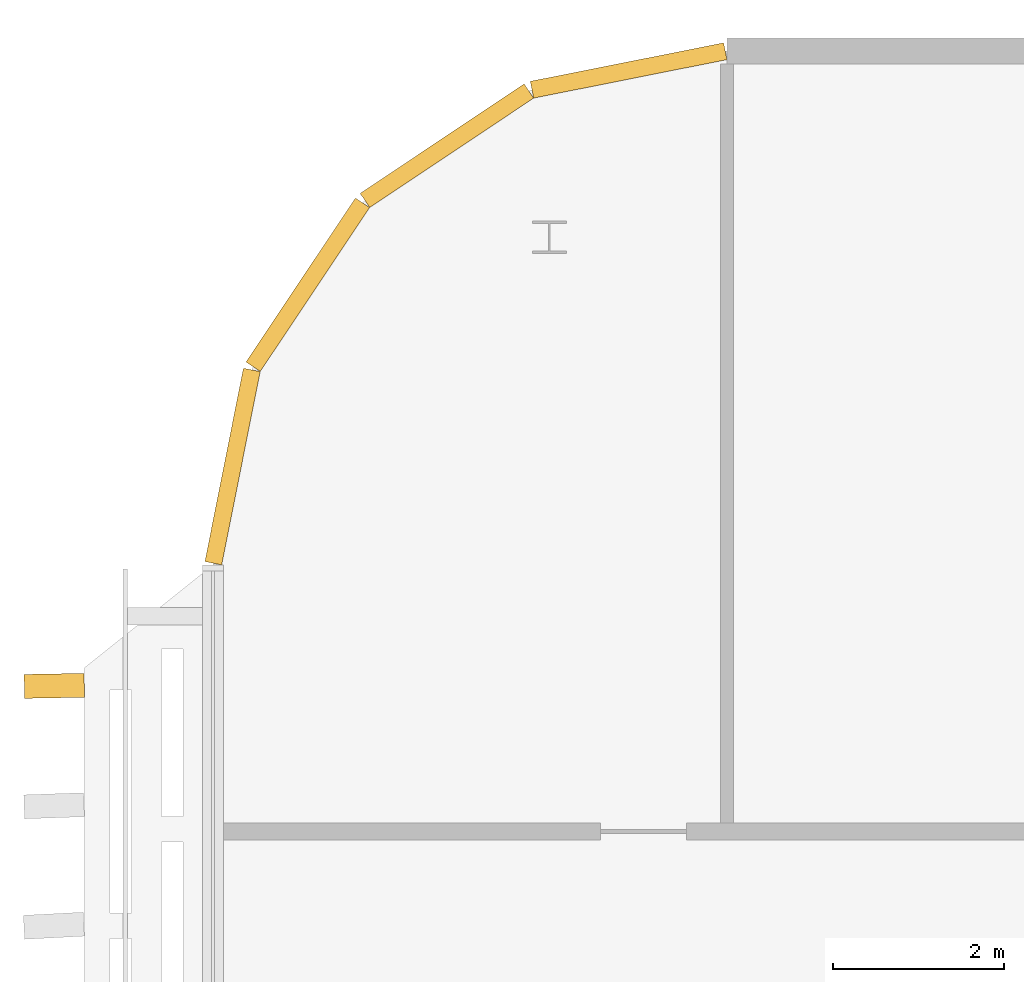
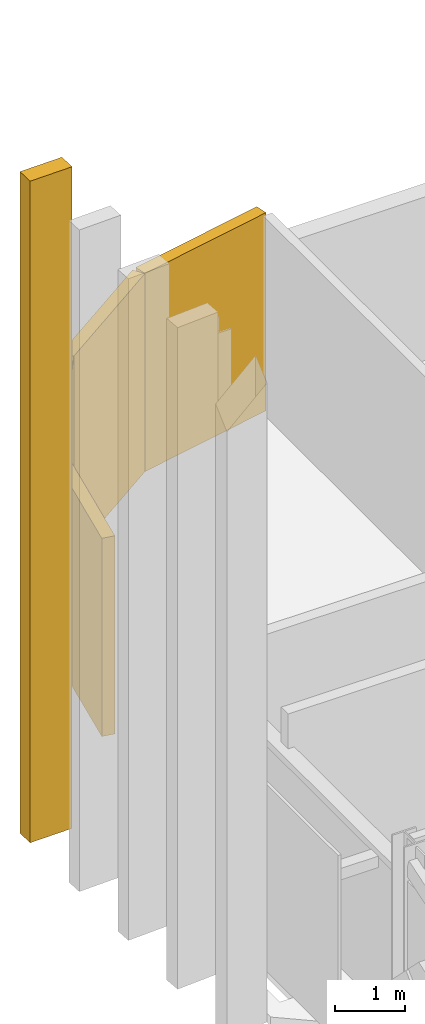
# One storey, part 26 of 30: 5 coverings.
"""IFC4 building model written with IfcOpenShell, lengths in metres."""

import ifcopenshell
import ifcopenshell.guid

model = None  # the IFC model being written
_history = None  # IfcOwnerHistory: only IFC2X3 demands one
_inside = {}  # id of a spatial element -> (the spatial element, [elements in it])
_under = {}  # id of a project, library or spatial element -> (it, [spatial elements below it])
_declared = {}  # id of a project -> (the project, [libraries it declares])
_typed = {}  # id of a type object -> (the type object, [elements of that type])
_made_of = {}  # id of a material, layer set ... -> (it, [elements and type objects made of it])


def new_model(schema):
    """Start an empty IFC model of exactly this schema.

    Asked for "IFC4X3", IfcOpenShell would pick the latest addendum, in which some entities
    have other attributes; the version numbers below select the first issue.
    IFC2X3 requires an IfcOwnerHistory on every rooted entity: one is made here for all.
    """
    global model, _history
    if schema == "IFC4X3":
        model = ifcopenshell.file(schema_version=(4, 3, 0, 0))
    else:
        model = ifcopenshell.file(schema=schema)
    _inside.clear()
    _under.clear()
    _declared.clear()
    _typed.clear()
    _made_of.clear()
    _history = None
    if model.schema == "IFC2X3":
        org = make("IfcOrganization", Name="unknown")
        user = make(
            "IfcPersonAndOrganization",
            ThePerson=make("IfcPerson", FamilyName="unknown"),
            TheOrganization=org,
        )
        app = make(
            "IfcApplication",
            ApplicationDeveloper=org,
            Version="unknown",
            ApplicationFullName="unknown",
            ApplicationIdentifier="unknown",
        )
        _history = make(
            "IfcOwnerHistory",
            OwningUser=user,
            OwningApplication=app,
            ChangeAction="ADDED",
            CreationDate=0,
        )
    return model


def make(cls, **values):
    """One entity of the class cls with the attributes given. An attribute that is None is left unset."""
    return model.create_entity(
        cls, **{name: value for name, value in values.items() if value is not None}
    )


def rooted(cls, **values):
    """An entity with a GlobalId (a new one), such as an element, a storey or a relation."""
    return make(cls, GlobalId=ifcopenshell.guid.new(), OwnerHistory=_history, **values)


def si_unit(unit_type, name, prefix=None):
    """IfcSIUnit, for example si_unit("LENGTHUNIT", "METRE", prefix="MILLI")."""
    return make("IfcSIUnit", UnitType=unit_type, Prefix=prefix, Name=name)


def assignment(units):
    """IfcUnitAssignment: the units of a project."""
    return None if units is None else make("IfcUnitAssignment", Units=units)


def point(xyz):
    """IfcCartesianPoint."""
    return None if xyz is None else make("IfcCartesianPoint", Coordinates=xyz)


def direction(xyz):
    """IfcDirection."""
    return None if xyz is None else make("IfcDirection", DirectionRatios=xyz)


def frame(location, z_axis=None, x_axis=None):
    """IfcAxis2Placement3D, a coordinate frame: its origin and axes. An axis left out is left unset."""
    return make(
        "IfcAxis2Placement3D",
        Location=point(location),
        Axis=direction(z_axis),
        RefDirection=direction(x_axis),
    )


def frame_2d(location, x_axis=None):
    """IfcAxis2Placement2D, a coordinate frame in the plane: its origin and x axis."""
    return make(
        "IfcAxis2Placement2D", Location=point(location), RefDirection=direction(x_axis)
    )


def origin():
    """The frame at (0, 0, 0) with its axes left unset."""
    return frame((0.0, 0.0, 0.0))


def origin_2d():
    """The frame at (0, 0) in the plane with its x axis left unset."""
    return frame_2d((0.0, 0.0))


def place(relative_to, where):
    """IfcLocalPlacement: puts the frame where relative to a parent placement (None: the world)."""
    return make(
        "IfcLocalPlacement", PlacementRelTo=relative_to, RelativePlacement=where
    )


def context(
    kind, dimensions, precision=None, world=None, true_north=None, identifier=None
):
    """IfcGeometricRepresentationContext, for example the 3D "Model" context."""
    return make(
        "IfcGeometricRepresentationContext",
        ContextIdentifier=identifier,
        ContextType=kind,
        CoordinateSpaceDimension=dimensions,
        Precision=precision,
        WorldCoordinateSystem=world,
        TrueNorth=true_north,
    )


def subcontext(parent, identifier, kind, view, scale=None):
    """IfcGeometricRepresentationSubContext, for example "Body" below "Model"."""
    return make(
        "IfcGeometricRepresentationSubContext",
        ContextIdentifier=identifier,
        ContextType=kind,
        ParentContext=parent,
        TargetScale=scale,
        TargetView=view,
    )


def project(units=None, contexts=None):
    """IfcProject with its units and contexts."""
    return rooted(
        "IfcProject",
        Name="project",
        RepresentationContexts=contexts,
        UnitsInContext=assignment(units),
    )


def spatial(cls, under=None, at=None, **own):
    """A site, building, storey or space (cls), placed at a placement, below another one or the project."""
    s = rooted(cls, ObjectPlacement=at, **own)
    if under is not None:
        _under.setdefault(under.id(), (under, []))[1].append(s)
    return s


def profile(cls, at=None, kind="AREA", **sizes):
    """A parametric profile (cls). Its sizes go by their IFC names, for example OverallWidth=200.0."""
    return make(cls, ProfileType=kind, Position=at, **sizes)


def rectangle(**sizes):
    """IfcRectangleProfileDef."""
    return profile("IfcRectangleProfileDef", **sizes)


def extrude(swept, where, along, depth):
    """IfcExtrudedAreaSolid: the profile swept, set in the frame where, extruded along a direction by depth."""
    return make(
        "IfcExtrudedAreaSolid",
        SweptArea=swept,
        Position=where,
        ExtrudedDirection=direction(along),
        Depth=depth,
    )


def shape(context_of_items, identifier, shape_type, items):
    """IfcShapeRepresentation: the items that make up one representation, for example the "Body"."""
    return make(
        "IfcShapeRepresentation",
        ContextOfItems=context_of_items,
        RepresentationIdentifier=identifier,
        RepresentationType=shape_type,
        Items=items,
    )


def material(Name=None, Category=None):
    """IfcMaterial."""
    return make("IfcMaterial", Name=Name, Category=Category)


def layer(
    of_material, thickness, ventilated=None, Name=None, Category=None, Priority=None
):
    """IfcMaterialLayer: one layer of a wall or slab, of a material (None: an air gap)."""
    return make(
        "IfcMaterialLayer",
        Material=of_material,
        LayerThickness=thickness,
        IsVentilated=ventilated,
        Name=Name,
        Category=Category,
        Priority=Priority,
    )


def layer_set(layers, Name=None):
    """IfcMaterialLayerSet."""
    return make("IfcMaterialLayerSet", MaterialLayers=layers, LayerSetName=Name)


def made_of(thing, what):
    """Note that an element or type object is made of a material, layer set ...; save() writes the relation."""
    if what is not None:
        _made_of.setdefault(what.id(), (what, []))[1].append(thing)
    return thing


def type_object(cls, material=None, **own):
    """A type object (cls), such as IfcWallType, which elements share."""
    return made_of(rooted(cls, **own), material)


def element(
    cls,
    number,
    at=None,
    inside=None,
    cuts=None,
    type_object=None,
    material=None,
    context=None,
    identifier="Body",
    shape_type=None,
    held_by="IfcProductDefinitionShape",
    body=None,
    shapes=None,
    **own,
):
    """One element of the class cls, such as IfcWall. Its Tag is "e" and its number.

    at: its placement. inside: the storey or other place that contains it. cuts: it is an
    opening in that element (IfcRelVoidsElement). A single representation is given by context,
    identifier, shape_type and body (its items); several are given by shapes. held_by: the class
    of the entity that holds the representations. save() writes the other relations.
    """
    e = rooted(cls, Tag="e%d" % number, ObjectPlacement=at, **own)
    if body is not None:
        shapes = [shape(context, identifier, shape_type, body)]
    if shapes is not None:
        e.Representation = make(held_by, Representations=shapes)
    if inside is not None:
        _inside.setdefault(inside.id(), (inside, []))[1].append(e)
    if cuts is not None:
        rooted(
            "IfcRelVoidsElement", RelatingBuildingElement=cuts, RelatedOpeningElement=e
        )
    if type_object is not None:
        _typed.setdefault(type_object.id(), (type_object, []))[1].append(e)
    return made_of(e, material)


def aggregate(whole, parts):
    """IfcRelAggregates: a whole, such as a stair, and the parts it consists of."""
    return rooted("IfcRelAggregates", RelatingObject=whole, RelatedObjects=parts)


def save(model, path):
    """Write the relations noted so far, then the file.

    IfcRelAggregates (storeys below a building ...), IfcRelContainedInSpatialStructure (elements
    in a storey), IfcRelDefinesByType, IfcRelAssociatesMaterial and IfcRelDeclares: one each for
    every whole, place, type object, material and project.
    """
    for whole, parts in _under.values():
        aggregate(whole, parts)
    for where, things in _inside.values():
        rooted(
            "IfcRelContainedInSpatialStructure",
            RelatedElements=things,
            RelatingStructure=where,
        )
    for kind, things in _typed.values():
        rooted("IfcRelDefinesByType", RelatedObjects=things, RelatingType=kind)
    for what, things in _made_of.values():
        rooted("IfcRelAssociatesMaterial", RelatedObjects=things, RelatingMaterial=what)
    for by, libraries in _declared.values():
        rooted("IfcRelDeclares", RelatingContext=by, RelatedDefinitions=libraries)
    model.write(path)


model = new_model("IFC4")

# Units and contexts
model_context = context("Model", 3, precision=1e-05, world=origin(), true_north=direction((0.0, 1.0)))
body_context = subcontext(model_context, "Body", "Model", "MODEL_VIEW")
ifc_project = project(units=[si_unit("LENGTHUNIT", "METRE"), si_unit("AREAUNIT", "SQUARE_METRE"), si_unit("VOLUMEUNIT", "CUBIC_METRE"), si_unit("PLANEANGLEUNIT", "RADIAN"), si_unit("MASSUNIT", "GRAM", prefix="KILO")], contexts=[model_context])

# Site, building, storey
site_placement = place(None, origin())
site = spatial("IfcSite", under=ifc_project, at=site_placement, CompositionType="ELEMENT")
building_placement = place(site_placement, origin())
building = spatial("IfcBuilding", under=site, at=building_placement, Name="Mahtab Terrace Research Tower", CompositionType="ELEMENT")
storey_placement = place(building_placement, frame((0.0, 0.0, 263.300048828125)))
storey = spatial("IfcBuildingStorey", under=building, at=storey_placement, Name="L64", CompositionType="ELEMENT", Elevation=263.300048828125)

# Coverings
ifc_material_1 = material(Name="Black aluminium cladding panel", Category="aluminium")
ifc_layer_1 = layer(ifc_material_1, 0.199951171875)
ifc_layer_set_1 = layer_set([ifc_layer_1], Name="Black metal corner cladding 200")
covering_type_1 = type_object("IfcCoveringType", Name="Black metal corner cladding 200", PredefinedType="CLADDING", material=ifc_layer_set_1)
for number, where, z_axis, x_axis, name in (
    (1, (-43.14794921875, 25.883544921875, 0.0), (0.0, 0.0, 1.0), (-0.980760981187, -0.195212442692, 0.0), "Corner cladding L64 4"),
    (2, (-45.26953125, 25.0048828125, 0.0), (0.0, 0.0, 1.0), (-0.831655794326, -0.555291490808, 0.0), "Corner cladding L64 5"),
    (3, (-46.89306640625, 23.381591796875, 0.0), (0.0, 0.0, 1.0), (-0.555291490808, -0.831655794326, 0.0), "Corner cladding L64 6"),
    (4, (-47.771484375, 21.260009765625, 0.0), (0.0, 0.0, 1.0), (-0.195212442692, -0.980760981187, 0.0), "Corner cladding L64 7"),
):
    element("IfcCovering", number, at=place(storey_placement, frame(where, z_axis=z_axis, x_axis=x_axis)), inside=storey, type_object=covering_type_1, Name=name, PredefinedType="CLADDING", context=body_context, shape_type="SweptSolid", body=[
        extrude(rectangle(XDim=2.30126953125, YDim=0.199951171875, at=origin_2d()), origin(), (0.0, 0.0, 1.0), 3.4599609375),
    ])
ifc_material_2 = material(Name="Bronze anodised aluminium", Category="aluminium")
ifc_layer_2 = layer(ifc_material_2, 0.1201171875)
ifc_layer_set_2 = layer_set([ifc_layer_2], Name="Vertical fin 700")
covering_type_2 = type_object("IfcCoveringType", Name="Vertical fin 700", PredefinedType="CLADDING", material=ifc_layer_set_2)
covering_placement = place(storey_placement, frame((-49.852294921875, 18.699951171875, -0.14990234375), z_axis=(0.0, 0.0, 1.0), x_axis=(0.017462299079, -0.999847522431, 0.0)))
element("IfcCovering", 5, at=covering_placement, inside=storey, type_object=covering_type_2, Name="Fin L64 W1", PredefinedType="CLADDING", context=body_context, shape_type="SweptSolid", body=[
    extrude(rectangle(XDim=0.280029296875, YDim=0.699951171875, at=origin_2d()), origin(), (0.0, 0.0, 1.0), 11.550048828125),
])

save(model, "model.ifc")
